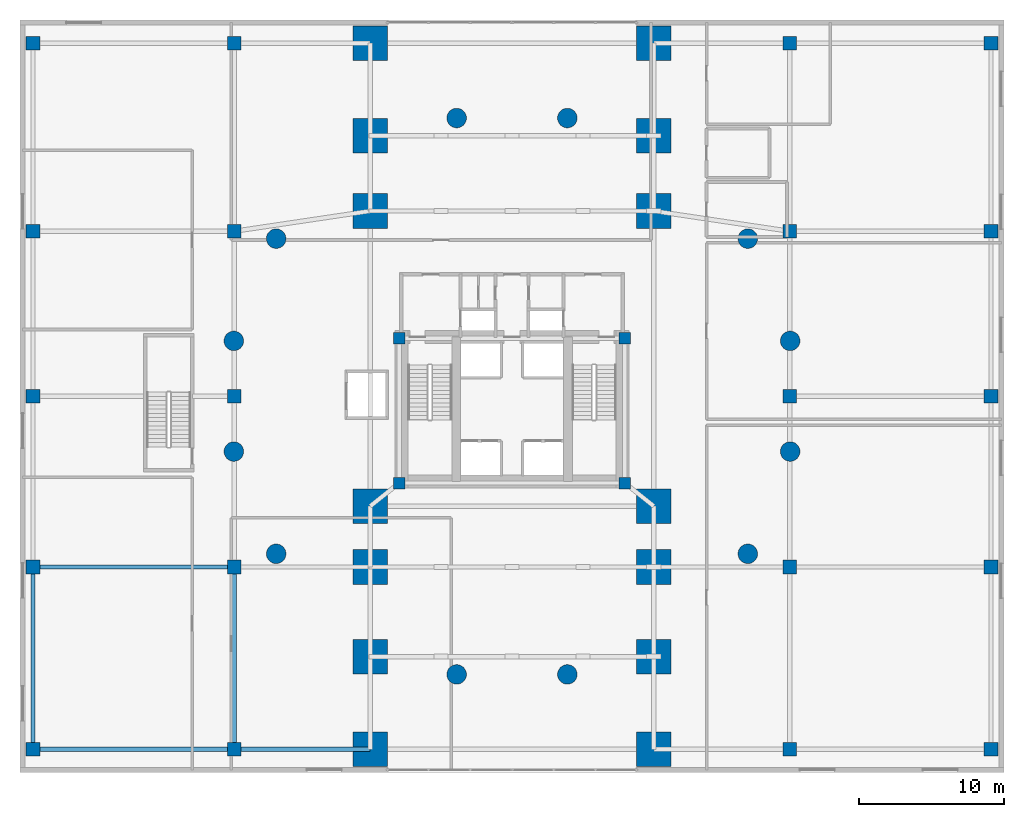
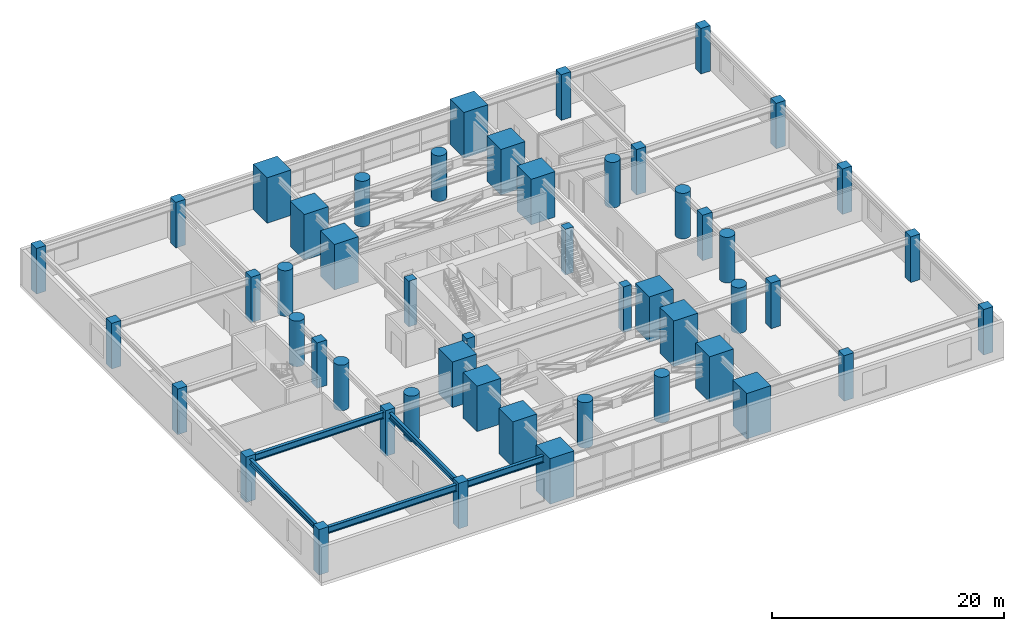
# One storey, part 1 of 17: 50 columns, 5 beams.
"""IFC4 building model written with IfcOpenShell, lengths in metres."""

from ifc_helpers import new_model, si_unit, direction, frame, origin, origin_2d, place, context, subcontext, project, spatial, rectangle, circle, i_section, extrude, material, material_profile, profile_set, type_object, element, save


model = new_model("IFC4")

# Units and contexts
model_context = context("Model", 3, precision=1e-05, world=origin(), true_north=direction((0.0, 1.0)))
body_context = subcontext(model_context, "Body", "Model", "MODEL_VIEW")
ifc_project = project(units=[si_unit("LENGTHUNIT", "METRE"), si_unit("AREAUNIT", "SQUARE_METRE"), si_unit("VOLUMEUNIT", "CUBIC_METRE"), si_unit("PLANEANGLEUNIT", "RADIAN"), si_unit("MASSUNIT", "GRAM", prefix="KILO"), si_unit("THERMODYNAMICTEMPERATUREUNIT", "KELVIN"), si_unit("POWERUNIT", "WATT")], contexts=[model_context])

# Site, building, storey
site_placement = place(None, origin())
site = spatial("IfcSite", under=ifc_project, at=site_placement, CompositionType="ELEMENT")
building_placement = place(site_placement, origin())
building = spatial("IfcBuilding", under=site, at=building_placement, Name="Ocrelia Relay Tower", CompositionType="ELEMENT")
storey_placement = place(building_placement, frame((0.0, 0.0, 20.39990234375)))
storey = spatial("IfcBuildingStorey", under=building, at=storey_placement, Name="L04", CompositionType="ELEMENT", Elevation=20.39990234375)

# Columns
ifc_material_1 = material(Name="Concrete C60/75", Category="concrete")
ifc_material_profile_1 = material_profile(ifc_material_1, rectangle(XDim=0.949951171875, YDim=0.949951171875, at=origin_2d()), Name="RC-COL-950x950")
ifc_profile_set_1 = profile_set([ifc_material_profile_1], Name="Concrete C60/75")
column_type_1 = type_object("IfcColumnType", Name="COL-CC-950", PredefinedType="COLUMN", material=ifc_profile_set_1)
for number, where, z_axis, x_axis, name in (
    (1, (0.89990234375, 1.60009765625, 0.0), (0.0, 0.0, 1.0), (1.0, 0.0, 0.0), "L04 Podium Column PC01"),
    (2, (0.89990234375, 14.199951171875, 0.0), (0.0, 0.0, 1.0), (1.0, 0.0, 0.0), "L04 Podium Column PC02"),
    (3, (0.89990234375, 26.0, 0.0), (0.0, 0.0, 1.0), (1.0, 0.0, 0.0), "L04 Podium Column PC03"),
    (4, (0.89990234375, 37.39990234375, 0.0), (0.0, 0.0, 1.0), (1.0, 0.0, 0.0), "L04 Podium Column PC04"),
    (5, (0.89990234375, 50.39990234375, 0.0), (0.0, 0.0, 1.0), (1.0, 0.0, 0.0), "L04 Podium Column PC05"),
    (6, (14.800048828125, 1.60009765625, 0.0), (0.0, 0.0, 1.0), (1.0, 0.0, 0.0), "L04 Podium Column PC06"),
    (7, (14.800048828125, 14.199951171875, 0.0), (0.0, 0.0, 1.0), (1.0, 0.0, 0.0), "L04 Podium Column PC07"),
    (8, (14.800048828125, 26.0, 0.0), (0.0, 0.0, 1.0), (1.0, 0.0, 0.0), "L04 Podium Column PC08"),
    (9, (14.800048828125, 37.39990234375, 0.0), (0.0, 0.0, 1.0), (1.0, 0.0, 0.0), "L04 Podium Column PC09"),
    (10, (14.800048828125, 50.39990234375, 0.0), (0.0, 0.0, 1.0), (1.0, 0.0, 0.0), "L04 Podium Column PC10"),
    (11, (53.199951171875, 1.60009765625, 0.0), (0.0, 0.0, 1.0), (1.0, 0.0, 0.0), "L04 Podium Column PC11"),
    (12, (53.199951171875, 14.199951171875, 0.0), (0.0, 0.0, 1.0), (1.0, 0.0, 0.0), "L04 Podium Column PC12"),
    (13, (53.199951171875, 26.0, 0.0), (0.0, 0.0, 1.0), (1.0, 0.0, 0.0), "L04 Podium Column PC13"),
    (14, (53.199951171875, 37.39990234375, 0.0), (0.0, 0.0, 1.0), (1.0, 0.0, 0.0), "L04 Podium Column PC14"),
    (15, (53.199951171875, 50.39990234375, 0.0), (0.0, 0.0, 1.0), (1.0, 0.0, 0.0), "L04 Podium Column PC15"),
    (16, (67.10009765625, 1.60009765625, 0.0), (0.0, 0.0, 1.0), (1.0, 0.0, 0.0), "L04 Podium Column PC16"),
    (17, (67.10009765625, 14.199951171875, 0.0), (0.0, 0.0, 1.0), (1.0, 0.0, 0.0), "L04 Podium Column PC17"),
    (18, (67.10009765625, 26.0, 0.0), (0.0, 0.0, 1.0), (1.0, 0.0, 0.0), "L04 Podium Column PC18"),
    (19, (67.10009765625, 37.39990234375, 0.0), (0.0, 0.0, 1.0), (1.0, 0.0, 0.0), "L04 Podium Column PC19"),
    (20, (67.10009765625, 50.39990234375, 0.0), (0.0, 0.0, 1.0), (1.0, 0.0, 0.0), "L04 Podium Column PC20"),
):
    element("IfcColumn", number, at=place(storey_placement, frame(where, z_axis=z_axis, x_axis=x_axis)), inside=storey, type_object=column_type_1, Name=name, PredefinedType="COLUMN", context=body_context, shape_type="SweptSolid", body=[
        extrude(rectangle(XDim=0.949951171875, YDim=0.949951171875, at=origin_2d()), origin(), (0.0, 0.0, 1.0), 4.800048828125),
    ])
ifc_material_2 = material(Name="Concrete C70/85", Category="concrete")
ifc_material_profile_2 = material_profile(ifc_material_2, circle(Radius=0.675048828125, at=origin_2d()), Name="RC-CIR-1350")
ifc_profile_set_2 = profile_set([ifc_material_profile_2], Name="Concrete C70/85")
column_type_2 = type_object("IfcColumnType", Name="COL-CT-1350", PredefinedType="COLUMN", material=ifc_profile_set_2)
for number, where, z_axis, x_axis, name in (
    (21, (53.223388671875, 29.82373046875, 0.0), (0.0, 0.0, 1.0), (1.0, 0.0, 0.0), "L04 Tower Ring Column Z1-01"),
    (22, (50.296875, 36.88916015625, 0.0), (0.0, 0.0, 1.0), (1.0, 0.0, 0.0), "L04 Tower Ring Column Z1-02"),
    (23, (37.82373046875, 45.223388671875, 0.0), (0.0, 0.0, 1.0), (1.0, 0.0, 0.0), "L04 Tower Ring Column Z1-04"),
    (24, (30.17626953125, 45.223388671875, 0.0), (0.0, 0.0, 1.0), (1.0, 0.0, 0.0), "L04 Tower Ring Column Z1-05"),
    (25, (17.703125, 36.88916015625, 0.0), (0.0, 0.0, 1.0), (1.0, 0.0, 0.0), "L04 Tower Ring Column Z1-07"),
    (26, (14.776611328125, 29.82373046875, 0.0), (0.0, 0.0, 1.0), (1.0, 0.0, 0.0), "L04 Tower Ring Column Z1-08"),
    (27, (14.776611328125, 22.17626953125, 0.0), (0.0, 0.0, 1.0), (1.0, 0.0, 0.0), "L04 Tower Ring Column Z1-09"),
    (28, (17.703125, 15.11083984375, 0.0), (0.0, 0.0, 1.0), (1.0, 0.0, 0.0), "L04 Tower Ring Column Z1-10"),
    (29, (30.17626953125, 6.776611328125, 0.0), (0.0, 0.0, 1.0), (1.0, 0.0, 0.0), "L04 Tower Ring Column Z1-12"),
    (30, (37.82373046875, 6.776611328125, 0.0), (0.0, 0.0, 1.0), (1.0, 0.0, 0.0), "L04 Tower Ring Column Z1-13"),
    (31, (50.296875, 15.11083984375, 0.0), (0.0, 0.0, 1.0), (1.0, 0.0, 0.0), "L04 Tower Ring Column Z1-15"),
    (32, (53.223388671875, 22.17626953125, 0.0), (0.0, 0.0, 1.0), (1.0, 0.0, 0.0), "L04 Tower Ring Column Z1-16"),
):
    element("IfcColumn", number, at=place(storey_placement, frame(where, z_axis=z_axis, x_axis=x_axis)), inside=storey, type_object=column_type_2, Name=name, PredefinedType="COLUMN", context=body_context, shape_type="SweptSolid", body=[
        extrude(circle(Radius=0.675048828125, at=origin_2d()), origin(), (0.0, 0.0, 1.0), 4.800048828125),
    ])
ifc_material_profile_3 = material_profile(ifc_material_2, rectangle(XDim=2.39990234375, YDim=2.39990234375, at=origin_2d()), Name="RC-PIER-2400x2400")
ifc_profile_set_3 = profile_set([ifc_material_profile_3], Name="Concrete C70/85")
column_type_3 = type_object("IfcColumnType", Name="COL-PIER-2400", PredefinedType="USERDEFINED", material=ifc_profile_set_3)
for number, where, z_axis, x_axis, name in (
    (33, (24.199951171875, 1.60009765625, 0.0), (0.0, 0.0, 1.0), (1.0, 0.0, 0.0), "L04 Portal Arch Pier P01"),
    (34, (24.199951171875, 8.0, 0.0), (0.0, 0.0, 1.0), (1.0, 0.0, 0.0), "L04 Portal Arch Pier P02"),
    (35, (24.199951171875, 14.199951171875, 0.0), (0.0, 0.0, 1.0), (1.0, 0.0, 0.0), "L04 Portal Arch Pier P03"),
    (36, (24.199951171875, 18.39990234375, 0.0), (0.0, 0.0, 1.0), (1.0, 0.0, 0.0), "L04 Portal Arch Pier P04"),
    (37, (24.199951171875, 38.800048828125, 0.0), (0.0, 0.0, 1.0), (1.0, 0.0, 0.0), "L04 Portal Arch Pier P05"),
    (38, (24.199951171875, 44.0, 0.0), (0.0, 0.0, 1.0), (1.0, 0.0, 0.0), "L04 Portal Arch Pier P06"),
    (39, (24.199951171875, 50.39990234375, 0.0), (0.0, 0.0, 1.0), (1.0, 0.0, 0.0), "L04 Portal Arch Pier P07"),
    (40, (43.800048828125, 1.60009765625, 0.0), (0.0, 0.0, 1.0), (1.0, 0.0, 0.0), "L04 Portal Arch Pier P08"),
    (41, (43.800048828125, 8.0, 0.0), (0.0, 0.0, 1.0), (1.0, 0.0, 0.0), "L04 Portal Arch Pier P09"),
    (42, (43.800048828125, 14.199951171875, 0.0), (0.0, 0.0, 1.0), (1.0, 0.0, 0.0), "L04 Portal Arch Pier P10"),
    (43, (43.800048828125, 18.39990234375, 0.0), (0.0, 0.0, 1.0), (1.0, 0.0, 0.0), "L04 Portal Arch Pier P11"),
    (44, (43.800048828125, 38.800048828125, 0.0), (0.0, 0.0, 1.0), (1.0, 0.0, 0.0), "L04 Portal Arch Pier P12"),
    (45, (43.800048828125, 44.0, 0.0), (0.0, 0.0, 1.0), (1.0, 0.0, 0.0), "L04 Portal Arch Pier P13"),
    (46, (43.800048828125, 50.39990234375, 0.0), (0.0, 0.0, 1.0), (1.0, 0.0, 0.0), "L04 Portal Arch Pier P14"),
):
    element("IfcColumn", number, at=place(storey_placement, frame(where, z_axis=z_axis, x_axis=x_axis)), inside=storey, type_object=column_type_3, Name=name, ObjectType="PORTAL PIER", PredefinedType="USERDEFINED", context=body_context, shape_type="SweptSolid", body=[
        extrude(rectangle(XDim=2.39990234375, YDim=2.39990234375, at=origin_2d()), origin(), (0.0, 0.0, 1.0), 4.800048828125),
    ])
ifc_material_profile_4 = material_profile(ifc_material_1, rectangle(XDim=0.800048828125, YDim=0.800048828125, at=origin_2d()), Name="RC-COL-800x800")
ifc_profile_set_4 = profile_set([ifc_material_profile_4], Name="Concrete C60/75")
column_type_4 = type_object("IfcColumnType", Name="COL-PILASTER-800", PredefinedType="PILASTER", material=ifc_profile_set_4)
for number, where, z_axis, x_axis, name in (
    (47, (26.199951171875, 20.0, 0.0), (0.0, 0.0, 1.0), (1.0, 0.0, 0.0), "L04 Core Corner Pilaster SW"),
    (48, (41.800048828125, 20.0, 0.0), (0.0, 0.0, 1.0), (1.0, 0.0, 0.0), "L04 Core Corner Pilaster SE"),
    (49, (26.199951171875, 30.0, 0.0), (0.0, 0.0, 1.0), (1.0, 0.0, 0.0), "L04 Core Corner Pilaster NW"),
    (50, (41.800048828125, 30.0, 0.0), (0.0, 0.0, 1.0), (1.0, 0.0, 0.0), "L04 Core Corner Pilaster NE"),
):
    element("IfcColumn", number, at=place(storey_placement, frame(where, z_axis=z_axis, x_axis=x_axis)), inside=storey, type_object=column_type_4, Name=name, PredefinedType="PILASTER", context=body_context, shape_type="SweptSolid", body=[
        extrude(rectangle(XDim=0.800048828125, YDim=0.800048828125, at=origin_2d()), origin(), (0.0, 0.0, 1.0), 4.800048828125),
    ])

# Beams
ifc_material_3 = material(Name="Steel S355", Category="steel")
ifc_material_profile_5 = material_profile(ifc_material_3, i_section(OverallWidth=0.300048828125, OverallDepth=0.60009765625, WebThickness=0.015380859375, FlangeThickness=0.030029296875, FilletRadius=0.027099609375, at=origin_2d()), Name="HEB 600")
ifc_profile_set_5 = profile_set([ifc_material_profile_5], Name="Steel S355")
beam_type_1 = type_object("IfcBeamType", Name="BM-HEB600", PredefinedType="BEAM", material=ifc_profile_set_5)
for number, where, z_axis, x_axis, name in (
    (51, (0.89990234375, 1.60009765625, 4.18017578125), (0.0, 1.0, 0.0), (-1.0, 0.0, 0.0), "L04 Podium Span Girder W-1"),
    (52, (14.800048828125, 1.60009765625, 4.18017578125), (0.0, 1.0, 0.0), (-1.0, 0.0, 0.0), "L04 Podium Span Girder IW-1"),
):
    element("IfcBeam", number, at=place(storey_placement, frame(where, z_axis=z_axis, x_axis=x_axis)), inside=storey, type_object=beam_type_1, Name=name, PredefinedType="BEAM", context=body_context, shape_type="SweptSolid", body=[
        extrude(i_section(OverallWidth=0.300048828125, OverallDepth=0.60009765625, WebThickness=0.015380859375, FlangeThickness=0.030029296875, FilletRadius=0.027099609375, at=origin_2d()), origin(), (0.0, 0.0, 1.0), 12.599853515625),
    ])
ifc_material_profile_6 = material_profile(ifc_material_3, i_section(OverallWidth=0.300048828125, OverallDepth=0.699951171875, WebThickness=0.01708984375, FlangeThickness=0.031982421875, FilletRadius=0.027099609375, at=origin_2d()), Name="HEB 700")
ifc_profile_set_6 = profile_set([ifc_material_profile_6], Name="Steel S355")
beam_type_2 = type_object("IfcBeamType", Name="BM-HEB700", PredefinedType="BEAM", material=ifc_profile_set_6)
beam_1_placement = place(storey_placement, frame((0.89990234375, 1.60009765625, 4.130126953125), z_axis=(1.0, 0.0, 0.0), x_axis=(0.0, 1.0, 0.0)))
element("IfcBeam", 53, at=beam_1_placement, inside=storey, type_object=beam_type_2, Name="L04 West Outer Podium Girder S", PredefinedType="BEAM", context=body_context, shape_type="SweptSolid", body=[
    extrude(i_section(OverallWidth=0.300048828125, OverallDepth=0.699951171875, WebThickness=0.01708984375, FlangeThickness=0.031982421875, FilletRadius=0.027099609375, at=origin_2d()), origin(), (0.0, 0.0, 1.0), 13.900146484375),
])
beam_2_placement = place(storey_placement, frame((14.800048828125, 1.60009765625, 4.130126953125), z_axis=(1.0, 0.0, 0.0), x_axis=(0.0, 1.0, 0.0)))
element("IfcBeam", 54, at=beam_2_placement, inside=storey, type_object=beam_type_2, Name="L04 West Inner Podium Girder S", PredefinedType="BEAM", context=body_context, shape_type="SweptSolid", body=[
    extrude(i_section(OverallWidth=0.300048828125, OverallDepth=0.699951171875, WebThickness=0.01708984375, FlangeThickness=0.031982421875, FilletRadius=0.027099609375, at=origin_2d()), origin(), (0.0, 0.0, 1.0), 9.39990234375),
])
beam_3_placement = place(storey_placement, frame((0.89990234375, 14.199951171875, 4.130126953125), z_axis=(1.0, 0.0, 0.0), x_axis=(0.0, 1.0, 0.0)))
element("IfcBeam", 55, at=beam_3_placement, inside=storey, type_object=beam_type_2, Name="L04 West Outer Podium Girder M1", PredefinedType="BEAM", context=body_context, shape_type="SweptSolid", body=[
    extrude(i_section(OverallWidth=0.300048828125, OverallDepth=0.699951171875, WebThickness=0.01708984375, FlangeThickness=0.031982421875, FilletRadius=0.027099609375, at=origin_2d()), origin(), (0.0, 0.0, 1.0), 13.900146484375),
])

save(model, "model.ifc")
